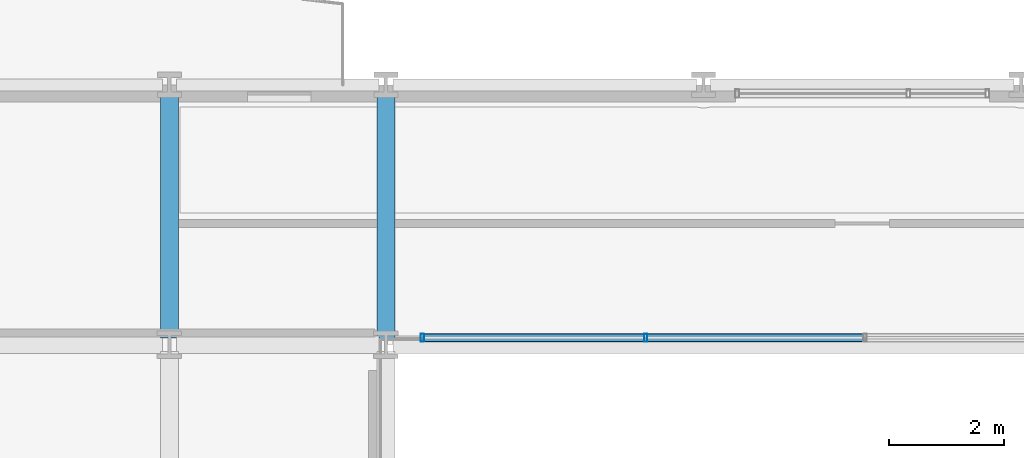
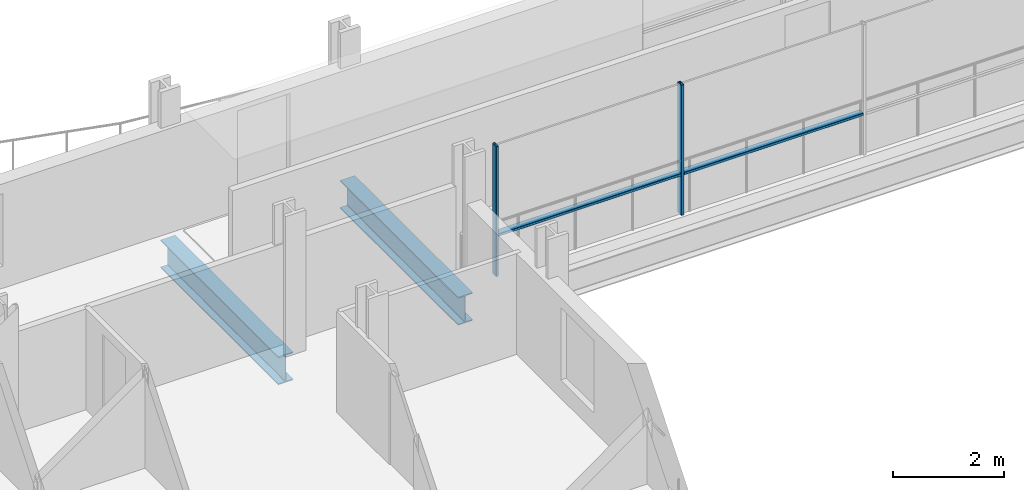
# One storey, part 9 of 40: 4 members, 2 beams, 1 element without a shape of its own.
"""IFC4 building model written with IfcOpenShell, lengths in metres."""

import ifcopenshell
import ifcopenshell.guid

model = None  # the IFC model being written
_history = None  # IfcOwnerHistory: only IFC2X3 demands one
_inside = {}  # id of a spatial element -> (the spatial element, [elements in it])
_under = {}  # id of a project, library or spatial element -> (it, [spatial elements below it])
_declared = {}  # id of a project -> (the project, [libraries it declares])
_typed = {}  # id of a type object -> (the type object, [elements of that type])
_made_of = {}  # id of a material, layer set ... -> (it, [elements and type objects made of it])


def new_model(schema):
    """Start an empty IFC model of exactly this schema.

    Asked for "IFC4X3", IfcOpenShell would pick the latest addendum, in which some entities
    have other attributes; the version numbers below select the first issue.
    IFC2X3 requires an IfcOwnerHistory on every rooted entity: one is made here for all.
    """
    global model, _history
    if schema == "IFC4X3":
        model = ifcopenshell.file(schema_version=(4, 3, 0, 0))
    else:
        model = ifcopenshell.file(schema=schema)
    _inside.clear()
    _under.clear()
    _declared.clear()
    _typed.clear()
    _made_of.clear()
    _history = None
    if model.schema == "IFC2X3":
        org = make("IfcOrganization", Name="unknown")
        user = make(
            "IfcPersonAndOrganization",
            ThePerson=make("IfcPerson", FamilyName="unknown"),
            TheOrganization=org,
        )
        app = make(
            "IfcApplication",
            ApplicationDeveloper=org,
            Version="unknown",
            ApplicationFullName="unknown",
            ApplicationIdentifier="unknown",
        )
        _history = make(
            "IfcOwnerHistory",
            OwningUser=user,
            OwningApplication=app,
            ChangeAction="ADDED",
            CreationDate=0,
        )
    return model


def make(cls, **values):
    """One entity of the class cls with the attributes given. An attribute that is None is left unset."""
    return model.create_entity(
        cls, **{name: value for name, value in values.items() if value is not None}
    )


def rooted(cls, **values):
    """An entity with a GlobalId (a new one), such as an element, a storey or a relation."""
    return make(cls, GlobalId=ifcopenshell.guid.new(), OwnerHistory=_history, **values)


def si_unit(unit_type, name, prefix=None):
    """IfcSIUnit, for example si_unit("LENGTHUNIT", "METRE", prefix="MILLI")."""
    return make("IfcSIUnit", UnitType=unit_type, Prefix=prefix, Name=name)


def assignment(units):
    """IfcUnitAssignment: the units of a project."""
    return None if units is None else make("IfcUnitAssignment", Units=units)


def point(xyz):
    """IfcCartesianPoint."""
    return None if xyz is None else make("IfcCartesianPoint", Coordinates=xyz)


def direction(xyz):
    """IfcDirection."""
    return None if xyz is None else make("IfcDirection", DirectionRatios=xyz)


def frame(location, z_axis=None, x_axis=None):
    """IfcAxis2Placement3D, a coordinate frame: its origin and axes. An axis left out is left unset."""
    return make(
        "IfcAxis2Placement3D",
        Location=point(location),
        Axis=direction(z_axis),
        RefDirection=direction(x_axis),
    )


def frame_2d(location, x_axis=None):
    """IfcAxis2Placement2D, a coordinate frame in the plane: its origin and x axis."""
    return make(
        "IfcAxis2Placement2D", Location=point(location), RefDirection=direction(x_axis)
    )


def origin():
    """The frame at (0, 0, 0) with its axes left unset."""
    return frame((0.0, 0.0, 0.0))


def origin_2d():
    """The frame at (0, 0) in the plane with its x axis left unset."""
    return frame_2d((0.0, 0.0))


def place(relative_to, where):
    """IfcLocalPlacement: puts the frame where relative to a parent placement (None: the world)."""
    return make(
        "IfcLocalPlacement", PlacementRelTo=relative_to, RelativePlacement=where
    )


def context(
    kind, dimensions, precision=None, world=None, true_north=None, identifier=None
):
    """IfcGeometricRepresentationContext, for example the 3D "Model" context."""
    return make(
        "IfcGeometricRepresentationContext",
        ContextIdentifier=identifier,
        ContextType=kind,
        CoordinateSpaceDimension=dimensions,
        Precision=precision,
        WorldCoordinateSystem=world,
        TrueNorth=true_north,
    )


def subcontext(parent, identifier, kind, view, scale=None):
    """IfcGeometricRepresentationSubContext, for example "Body" below "Model"."""
    return make(
        "IfcGeometricRepresentationSubContext",
        ContextIdentifier=identifier,
        ContextType=kind,
        ParentContext=parent,
        TargetScale=scale,
        TargetView=view,
    )


def project(units=None, contexts=None):
    """IfcProject with its units and contexts."""
    return rooted(
        "IfcProject",
        Name="project",
        RepresentationContexts=contexts,
        UnitsInContext=assignment(units),
    )


def spatial(cls, under=None, at=None, **own):
    """A site, building, storey or space (cls), placed at a placement, below another one or the project."""
    s = rooted(cls, ObjectPlacement=at, **own)
    if under is not None:
        _under.setdefault(under.id(), (under, []))[1].append(s)
    return s


def profile(cls, at=None, kind="AREA", **sizes):
    """A parametric profile (cls). Its sizes go by their IFC names, for example OverallWidth=200.0."""
    return make(cls, ProfileType=kind, Position=at, **sizes)


def hollow_rectangle(**sizes):
    """IfcRectangleHollowProfileDef."""
    return profile("IfcRectangleHollowProfileDef", **sizes)


def i_section(**sizes):
    """IfcIShapeProfileDef."""
    return profile("IfcIShapeProfileDef", **sizes)


def extrude(swept, where, along, depth):
    """IfcExtrudedAreaSolid: the profile swept, set in the frame where, extruded along a direction by depth."""
    return make(
        "IfcExtrudedAreaSolid",
        SweptArea=swept,
        Position=where,
        ExtrudedDirection=direction(along),
        Depth=depth,
    )


def shape(context_of_items, identifier, shape_type, items):
    """IfcShapeRepresentation: the items that make up one representation, for example the "Body"."""
    return make(
        "IfcShapeRepresentation",
        ContextOfItems=context_of_items,
        RepresentationIdentifier=identifier,
        RepresentationType=shape_type,
        Items=items,
    )


def material(Name=None, Category=None):
    """IfcMaterial."""
    return make("IfcMaterial", Name=Name, Category=Category)


def layer(
    of_material, thickness, ventilated=None, Name=None, Category=None, Priority=None
):
    """IfcMaterialLayer: one layer of a wall or slab, of a material (None: an air gap)."""
    return make(
        "IfcMaterialLayer",
        Material=of_material,
        LayerThickness=thickness,
        IsVentilated=ventilated,
        Name=Name,
        Category=Category,
        Priority=Priority,
    )


def layer_set(layers, Name=None):
    """IfcMaterialLayerSet."""
    return make("IfcMaterialLayerSet", MaterialLayers=layers, LayerSetName=Name)


def material_profile(
    of_material, cross_section, Name=None, Category=None, Priority=None
):
    """IfcMaterialProfile: a cross section and its material."""
    return make(
        "IfcMaterialProfile",
        Name=Name,
        Material=of_material,
        Profile=cross_section,
        Priority=Priority,
        Category=Category,
    )


def profile_set(profiles, Name=None, composite=None):
    """IfcMaterialProfileSet."""
    return make(
        "IfcMaterialProfileSet",
        Name=Name,
        MaterialProfiles=profiles,
        CompositeProfile=composite,
    )


def made_of(thing, what):
    """Note that an element or type object is made of a material, layer set ...; save() writes the relation."""
    if what is not None:
        _made_of.setdefault(what.id(), (what, []))[1].append(thing)
    return thing


def type_object(cls, material=None, **own):
    """A type object (cls), such as IfcWallType, which elements share."""
    return made_of(rooted(cls, **own), material)


def element(
    cls,
    number,
    at=None,
    inside=None,
    cuts=None,
    type_object=None,
    material=None,
    context=None,
    identifier="Body",
    shape_type=None,
    held_by="IfcProductDefinitionShape",
    body=None,
    shapes=None,
    **own,
):
    """One element of the class cls, such as IfcWall. Its Tag is "e" and its number.

    at: its placement. inside: the storey or other place that contains it. cuts: it is an
    opening in that element (IfcRelVoidsElement). A single representation is given by context,
    identifier, shape_type and body (its items); several are given by shapes. held_by: the class
    of the entity that holds the representations. save() writes the other relations.
    """
    e = rooted(cls, Tag="e%d" % number, ObjectPlacement=at, **own)
    if body is not None:
        shapes = [shape(context, identifier, shape_type, body)]
    if shapes is not None:
        e.Representation = make(held_by, Representations=shapes)
    if inside is not None:
        _inside.setdefault(inside.id(), (inside, []))[1].append(e)
    if cuts is not None:
        rooted(
            "IfcRelVoidsElement", RelatingBuildingElement=cuts, RelatedOpeningElement=e
        )
    if type_object is not None:
        _typed.setdefault(type_object.id(), (type_object, []))[1].append(e)
    return made_of(e, material)


def aggregate(whole, parts):
    """IfcRelAggregates: a whole, such as a stair, and the parts it consists of."""
    return rooted("IfcRelAggregates", RelatingObject=whole, RelatedObjects=parts)


def save(model, path):
    """Write the relations noted so far, then the file.

    IfcRelAggregates (storeys below a building ...), IfcRelContainedInSpatialStructure (elements
    in a storey), IfcRelDefinesByType, IfcRelAssociatesMaterial and IfcRelDeclares: one each for
    every whole, place, type object, material and project.
    """
    for whole, parts in _under.values():
        aggregate(whole, parts)
    for where, things in _inside.values():
        rooted(
            "IfcRelContainedInSpatialStructure",
            RelatedElements=things,
            RelatingStructure=where,
        )
    for kind, things in _typed.values():
        rooted("IfcRelDefinesByType", RelatedObjects=things, RelatingType=kind)
    for what, things in _made_of.values():
        rooted("IfcRelAssociatesMaterial", RelatedObjects=things, RelatingMaterial=what)
    for by, libraries in _declared.values():
        rooted("IfcRelDeclares", RelatingContext=by, RelatedDefinitions=libraries)
    model.write(path)


model = new_model("IFC4")

# Units and contexts
model_context = context("Model", 3, precision=1e-05, world=origin(), true_north=direction((0.0, 1.0)))
body_context = subcontext(model_context, "Body", "Model", "MODEL_VIEW")
ifc_project = project(units=[si_unit("LENGTHUNIT", "METRE"), si_unit("AREAUNIT", "SQUARE_METRE"), si_unit("VOLUMEUNIT", "CUBIC_METRE"), si_unit("PLANEANGLEUNIT", "RADIAN"), si_unit("MASSUNIT", "GRAM", prefix="KILO")], contexts=[model_context])

# Site, building, storey
site_placement = place(None, origin())
site = spatial("IfcSite", under=ifc_project, at=site_placement, CompositionType="ELEMENT")
building_placement = place(site_placement, origin())
building = spatial("IfcBuilding", under=site, at=building_placement, Name="Brevholm Reach", CompositionType="ELEMENT")
storey_placement = place(building_placement, frame((0.0, 0.0, 37.300048828125)))
storey = spatial("IfcBuildingStorey", under=building, at=storey_placement, Name="L09", CompositionType="ELEMENT", Elevation=37.300048828125)

# Beams
ifc_material_1 = material(Name="Structural Steel S355J2", Category="steel")
ifc_material_profile_1 = material_profile(ifc_material_1, i_section(OverallWidth=0.30712890625, OverallDepth=0.6201171875, WebThickness=0.01416015625, FlangeThickness=0.023681640625, FilletRadius=0.0166015625, at=origin_2d()), Name="UKB 610x305x179")
ifc_profile_set_1 = profile_set([ifc_material_profile_1], Name="Structural Steel S355J2")
beam_type = type_object("IfcBeamType", Name="BM-UKB610H", PredefinedType="USERDEFINED", material=ifc_profile_set_1)
for number, where, z_axis, x_axis, name in (
    (1, (18.0, 26.6201171875, -0.5400390625), (0.0, 1.0, 0.0), (-1.0, 0.0, 0.0), "L09 G-06 Framing Beam"),
    (2, (21.75, 26.6201171875, -0.5400390625), (0.0, 1.0, 0.0), (-1.0, 0.0, 0.0), "L09 G-06 Framing Beam"),
):
    element("IfcBeam", number, at=place(storey_placement, frame(where, z_axis=z_axis, x_axis=x_axis)), inside=storey, type_object=beam_type, Name=name, ObjectType="GIRDER", PredefinedType="USERDEFINED", context=body_context, shape_type="SweptSolid", body=[
        extrude(i_section(OverallWidth=0.30712890625, OverallDepth=0.6201171875, WebThickness=0.01416015625, FlangeThickness=0.023681640625, FilletRadius=0.0166015625, at=origin_2d()), origin(), (0.0, 0.0, 1.0), 4.259765625),
    ])

# Curtain wall, members
ifc_material_2 = material(Name="Dark Anodised Aluminium 6063-T6 and Solar-Control Glass", Category="aluminium")
ifc_layer = layer(ifc_material_2, 0.139892578125)
ifc_layer_set = layer_set([ifc_layer], Name="Dark Anodised Aluminium 6063-T6 and Solar-Control Glass")
curtain_wall_type = type_object("IfcCurtainWallType", Name="CW-02", PredefinedType="NOTDEFINED", material=ifc_layer_set)
curtain_wall_placement = place(storey_placement, origin())
curtain_wall = element("IfcCurtainWall", 3, at=curtain_wall_placement, inside=storey, type_object=curtain_wall_type, Name="L09 Curtain Wall CW-02", PredefinedType="NOTDEFINED")
ifc_material_3 = material(Name="Dark Anodised Aluminium 6063-T6", Category="aluminium")
ifc_material_profile_2 = material_profile(ifc_material_3, hollow_rectangle(XDim=0.06005859375, YDim=0.139892578125, WallThickness=0.0048828125, InnerFilletRadius=0.0048828125, OuterFilletRadius=0.010009765625, at=origin_2d()), Name="RHS 140x60x5")
ifc_profile_set_2 = profile_set([ifc_material_profile_2], Name="Dark Anodised Aluminium 6063-T6")
member_type_1 = type_object("IfcMemberType", Name="CWM-140", PredefinedType="MULLION", material=ifc_profile_set_2)
member_1_placement = place(storey_placement, frame((26.25, 26.6201171875, 0.0), z_axis=(0.0, 0.0, 1.0), x_axis=(-1.0, 0.0, 0.0)))
member_1 = element("IfcMember", 4, at=member_1_placement, type_object=member_type_1, Name="CM-140 Mullion 4", PredefinedType="MULLION", context=body_context, shape_type="SweptSolid", body=[
    extrude(hollow_rectangle(XDim=0.06005859375, YDim=0.139892578125, WallThickness=0.0048828125, InnerFilletRadius=0.0048828125, OuterFilletRadius=0.010009765625, at=origin_2d()), origin(), (0.0, 0.0, 1.0), 2.869873046875),
])
member_2_placement = place(storey_placement, frame((22.3798828125, 26.6201171875, 0.0), z_axis=(0.0, 0.0, 1.0), x_axis=(-1.0, 0.0, 0.0)))
member_2 = element("IfcMember", 5, at=member_2_placement, type_object=member_type_1, Name="CM-140 Mullion 5", PredefinedType="MULLION", context=body_context, shape_type="SweptSolid", body=[
    extrude(hollow_rectangle(XDim=0.06005859375, YDim=0.139892578125, WallThickness=0.0048828125, InnerFilletRadius=0.0048828125, OuterFilletRadius=0.010009765625, at=origin_2d()), origin(), (0.0, 0.0, 1.0), 2.869873046875),
])
ifc_material_4 = material(Name="Dark Anodised Aluminium 6063-T6", Category="aluminium")
ifc_material_profile_3 = material_profile(ifc_material_4, hollow_rectangle(XDim=0.06005859375, YDim=0.139892578125, WallThickness=0.0048828125, InnerFilletRadius=0.0048828125, OuterFilletRadius=0.010009765625, at=origin_2d()), Name="RHS 140x60x5")
ifc_profile_set_3 = profile_set([ifc_material_profile_3], Name="Dark Anodised Aluminium 6063-T6")
member_type_2 = type_object("IfcMemberType", Name="CWT-140", PredefinedType="NOTDEFINED", material=ifc_profile_set_3)
member_3_placement = place(storey_placement, frame((30.02001953125, 26.6201171875, 0.89990234375), z_axis=(-1.0, 0.0, 0.0), x_axis=(0.0, 0.0, 1.0)))
member_3 = element("IfcMember", 6, at=member_3_placement, type_object=member_type_2, Name="CT-140 Transom 3.1", ObjectType="TRANSOM", PredefinedType="USERDEFINED", context=body_context, shape_type="SweptSolid", body=[
    extrude(hollow_rectangle(XDim=0.06005859375, YDim=0.139892578125, WallThickness=0.0048828125, InnerFilletRadius=0.0048828125, OuterFilletRadius=0.010009765625, at=origin_2d()), origin(), (0.0, 0.0, 1.0), 3.739990234375),
])
member_4_placement = place(storey_placement, frame((26.219970703125, 26.6201171875, 0.89990234375), z_axis=(-1.0, 0.0, 0.0), x_axis=(0.0, 0.0, 1.0)))
member_4 = element("IfcMember", 7, at=member_4_placement, type_object=member_type_2, Name="CT-140 Transom 4.1", ObjectType="TRANSOM", PredefinedType="USERDEFINED", context=body_context, shape_type="SweptSolid", body=[
    extrude(hollow_rectangle(XDim=0.06005859375, YDim=0.139892578125, WallThickness=0.0048828125, InnerFilletRadius=0.0048828125, OuterFilletRadius=0.010009765625, at=origin_2d()), origin(), (0.0, 0.0, 1.0), 3.81005859375),
])
aggregate(curtain_wall, [member_1, member_2, member_3, member_4])

save(model, "model.ifc")
